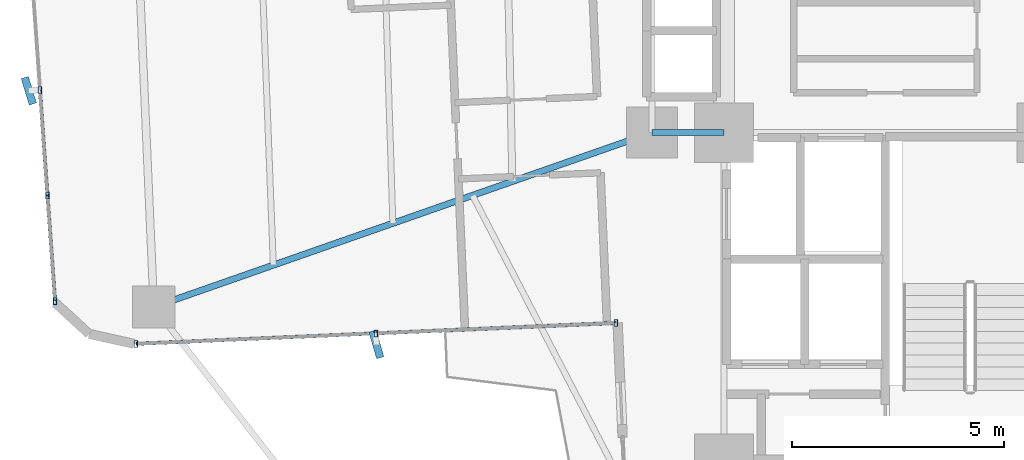
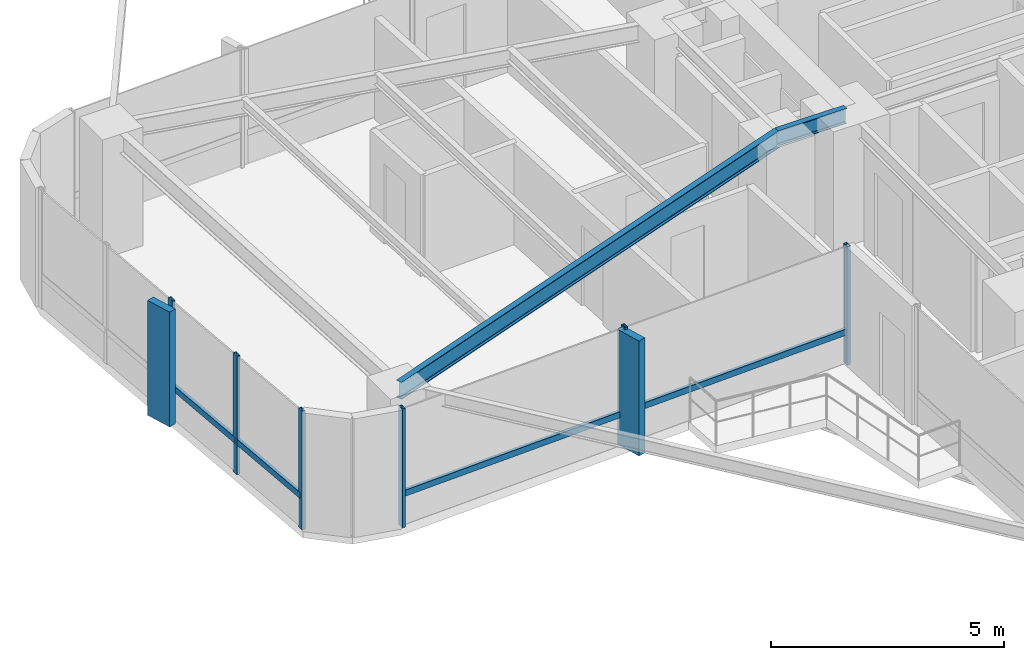
# One storey, part 8 of 26: 12 members, 2 beams, 2 elements without a shape of their own.
"""IFC4 building model written with IfcOpenShell, lengths in metres."""

from ifc_helpers import new_model, si_unit, direction, frame, origin, origin_2d, place, context, subcontext, project, spatial, rectangle, hollow_rectangle, i_section, extrude, source, transform, mapped, material, material_profile, profile_set, type_object, element, aggregate, save


model = new_model("IFC4")

# Units and contexts
model_context = context("Model", 3, precision=1e-05, world=origin(), true_north=direction((0.0, 1.0)))
body_context = subcontext(model_context, "Body", "Model", "MODEL_VIEW")
ifc_project = project(units=[si_unit("LENGTHUNIT", "METRE"), si_unit("AREAUNIT", "SQUARE_METRE"), si_unit("VOLUMEUNIT", "CUBIC_METRE"), si_unit("PLANEANGLEUNIT", "RADIAN"), si_unit("MASSUNIT", "GRAM", prefix="KILO")], contexts=[model_context])

# Site, building, storey
site_placement = place(None, origin())
site = spatial("IfcSite", under=ifc_project, at=site_placement, CompositionType="ELEMENT")
building_placement = place(site_placement, origin())
building = spatial("IfcBuilding", under=site, at=building_placement, Name="Sahyath Konkavel Grand Hotel", CompositionType="ELEMENT")
storey_placement = place(building_placement, frame((0.0, 0.0, 96.89990234375)))
storey = spatial("IfcBuildingStorey", under=building, at=storey_placement, Name="L26", CompositionType="ELEMENT", Elevation=96.89990234375)

# Beams
ifc_material_1 = material(Name="Steel E350", Category="steel")
ifc_material_profile_1 = material_profile(ifc_material_1, i_section(OverallWidth=0.139892578125, OverallDepth=0.39990234375, WebThickness=0.0087890625, FlangeThickness=0.01611328125, FilletRadius=0.013916015625, at=origin_2d()), Name="ISMB 400")
ifc_profile_set_1 = profile_set([ifc_material_profile_1], Name="Steel E350")
beam_type_1 = type_object("IfcBeamType", Name="BM-ISMB400", PredefinedType="BEAM", material=ifc_profile_set_1)
shared_shape_1 = source(origin(), body_context, "Body", "SweptSolid", [
    extrude(i_section(OverallWidth=0.139892578125, OverallDepth=0.39990234375, WebThickness=0.0087890625, FlangeThickness=0.01611328125, FilletRadius=0.013916015625, at=origin_2d()), origin(), (0.0, 0.0, 1.0), 1.699951171875),
])
beam_1_placement = place(storey_placement, frame((-5.5, -2.39990234375, 2.91015625), z_axis=(1.0, 0.0, 0.0), x_axis=(0.0, 1.0, 0.0)))
element("IfcBeam", 1, at=beam_1_placement, inside=storey, type_object=beam_type_1, Name="str:bm:L26:HB-SW", PredefinedType="BEAM", context=body_context, shape_type="MappedRepresentation", body=[
    mapped(shared_shape_1, transform((0.0, 0.0, 0.0), scale=1.0)),
])
ifc_material_profile_2 = material_profile(ifc_material_1, i_section(OverallWidth=0.14990234375, OverallDepth=0.449951171875, WebThickness=0.009521484375, FlangeThickness=0.017333984375, FilletRadius=0.014892578125, at=origin_2d()), Name="ISMB 450")
ifc_profile_set_2 = profile_set([ifc_material_profile_2], Name="Steel E350")
beam_type_2 = type_object("IfcBeamType", Name="BM-ISMB450", PredefinedType="BEAM", material=ifc_profile_set_2)
shared_shape_2 = source(origin(), body_context, "Body", "SweptSolid", [
    extrude(i_section(OverallWidth=0.14990234375, OverallDepth=0.449951171875, WebThickness=0.009521484375, FlangeThickness=0.017333984375, FilletRadius=0.014892578125, at=origin_2d()), origin(), (0.0, 0.0, 1.0), 12.430908203125),
])
beam_2_placement = place(storey_placement, frame((-5.5, -2.39990234375, 2.885009765625), z_axis=(-0.943819157235, -0.330462400941, 0.0), x_axis=(0.330462400941, -0.943819157235, 0.0)))
element("IfcBeam", 2, at=beam_2_placement, inside=storey, type_object=beam_type_2, Name="L26 Cruciform Radial Girder WB", PredefinedType="BEAM", context=body_context, shape_type="MappedRepresentation", body=[
    mapped(shared_shape_2, transform((0.0, 0.0, 0.0), scale=1.0)),
])

# Curtain wall, member
ifc_material_2 = material(Name="Anodised Bronze Aluminium & Low-E Glazing", Category="aluminium")
curtain_wall_type = type_object("IfcCurtainWallType", Name="CW-ZONE2", PredefinedType="NOTDEFINED", material=ifc_material_2)
curtain_wall_1_placement = place(storey_placement, origin())
curtain_wall_1 = element("IfcCurtainWall", 3, at=curtain_wall_1_placement, inside=storey, type_object=curtain_wall_type, Name="L26 Unitised Curtain Wall F20", PredefinedType="NOTDEFINED")
ifc_material_3 = material(Name="Warm Buff Sandstone Cladding on Concrete C50/60", Category="masonry")
ifc_material_profile_3 = material_profile(ifc_material_3, rectangle(XDim=0.179931640625, YDim=0.64990234375, at=origin_2d()), Name="FIN 180x650")
ifc_profile_set_3 = profile_set([ifc_material_profile_3], Name="Warm Buff Sandstone Cladding on Concrete C50/60")
member_type_1 = type_object("IfcMemberType", Name="FIN-SANDSTONE-650", PredefinedType="MULLION", material=ifc_profile_set_3)
shared_shape_3 = source(origin(), body_context, "Body", "SweptSolid", [
    extrude(rectangle(XDim=0.179931640625, YDim=0.64990234375, at=origin_2d()), origin(), (0.0, 0.0, 1.0), 3.010009765625),
])
member_1_placement = place(storey_placement, frame((-20.1767578125, -1.413818359375, 0.050048828125), z_axis=(0.0, 0.0, 1.0), x_axis=(0.956151539415, 0.292872384621, 0.0)))
member_1 = element("IfcMember", 4, at=member_1_placement, type_object=member_type_1, Name="L26 Sandstone Vertical Solar Fin FIN F20-2", PredefinedType="MULLION", context=body_context, shape_type="MappedRepresentation", body=[
    mapped(shared_shape_3, transform((0.0, 0.0, 0.0), scale=1.0)),
])

curtain_wall_2_placement = place(storey_placement, origin())
curtain_wall_2 = element("IfcCurtainWall", 5, at=curtain_wall_2_placement, inside=storey, type_object=curtain_wall_type, Name="L26 Unitised Curtain Wall F23", PredefinedType="NOTDEFINED")
member_2_placement = place(storey_placement, frame((-11.989013671875, -7.39013671875, 0.050048828125), z_axis=(0.0, 0.0, 1.0), x_axis=(0.960488224179, 0.278320626641, 0.0)))
member_2 = element("IfcMember", 6, at=member_2_placement, type_object=member_type_1, Name="L26 Sandstone Vertical Solar Fin FIN F23-1", PredefinedType="MULLION", context=body_context, shape_type="MappedRepresentation", body=[
    mapped(shared_shape_3, transform((0.0, 0.0, 0.0), scale=1.0)),
])

# Member
ifc_material_4 = material(Name="Anodised Bronze Aluminium", Category="aluminium")
ifc_material_profile_4 = material_profile(ifc_material_4, hollow_rectangle(XDim=0.080078125, YDim=0.159912109375, WallThickness=0.006103515625, at=origin_2d()), Name="RHS 160x80x6")
ifc_profile_set_4 = profile_set([ifc_material_profile_4], Name="Anodised Bronze Aluminium")
member_type_2 = type_object("IfcMemberType", Name="CW-MUL-160", PredefinedType="MULLION", material=ifc_profile_set_4)
shared_shape_4 = source(origin(), body_context, "Body", "SweptSolid", [
    extrude(hollow_rectangle(XDim=0.080078125, YDim=0.159912109375, WallThickness=0.006103515625, at=origin_2d()), origin(), (0.0, 0.0, 1.0), 3.110107421875),
])
member_3_placement = place(storey_placement, frame((-19.91748046875, -1.39501953125, 0.0), z_axis=(0.0, 0.0, 1.0), x_axis=(1.0, 0.0, 0.0)))
member_3 = element("IfcMember", 7, at=member_3_placement, type_object=member_type_2, Name="L26 Curtain Wall Mullion F20-2", PredefinedType="MULLION", context=body_context, shape_type="MappedRepresentation", body=[
    mapped(shared_shape_4, transform((0.0, 0.0, 0.0), scale=1.0)),
])

member_4_placement = place(storey_placement, frame((-19.739013671875, -3.882080078125, 0.0), z_axis=(0.0, 0.0, 1.0), x_axis=(1.0, 0.0, 0.0)))
member_4 = element("IfcMember", 8, at=member_4_placement, type_object=member_type_2, Name="L26 Curtain Wall Mullion F20-3", PredefinedType="MULLION", context=body_context, shape_type="MappedRepresentation", body=[
    mapped(shared_shape_4, transform((0.0, 0.0, 0.0), scale=1.0)),
])

member_5_placement = place(storey_placement, frame((-19.560546875, -6.369384765625, 0.0), z_axis=(0.0, 0.0, 1.0), x_axis=(1.0, 0.0, 0.0)))
member_5 = element("IfcMember", 9, at=member_5_placement, type_object=member_type_2, Name="L26 Curtain Wall Mullion F20-4", PredefinedType="MULLION", context=body_context, shape_type="MappedRepresentation", body=[
    mapped(shared_shape_4, transform((0.0, 0.0, 0.0), scale=1.0)),
])

member_6_placement = place(storey_placement, frame((-17.655029296875, -7.377197265625, 0.0), z_axis=(0.0, 0.0, 1.0), x_axis=(1.0, 0.0, 0.0)))
member_6 = element("IfcMember", 10, at=member_6_placement, type_object=member_type_2, Name="L26 Curtain Wall Mullion F23-0", PredefinedType="MULLION", context=body_context, shape_type="MappedRepresentation", body=[
    mapped(shared_shape_4, transform((0.0, 0.0, 0.0), scale=1.0)),
])

member_7_placement = place(storey_placement, frame((-12.00048828125, -7.13037109375, 0.0), z_axis=(0.0, 0.0, 1.0), x_axis=(1.0, 0.0, 0.0)))
member_7 = element("IfcMember", 11, at=member_7_placement, type_object=member_type_2, Name="L26 Curtain Wall Mullion F23-1", PredefinedType="MULLION", context=body_context, shape_type="MappedRepresentation", body=[
    mapped(shared_shape_4, transform((0.0, 0.0, 0.0), scale=1.0)),
])

member_8_placement = place(storey_placement, frame((-6.345703125, -6.88330078125, 0.0), z_axis=(0.0, 0.0, 1.0), x_axis=(1.0, 0.0, 0.0)))
member_8 = element("IfcMember", 12, at=member_8_placement, type_object=member_type_2, Name="L26 Curtain Wall Mullion F23-2", PredefinedType="MULLION", context=body_context, shape_type="MappedRepresentation", body=[
    mapped(shared_shape_4, transform((0.0, 0.0, 0.0), scale=1.0)),
])

ifc_material_profile_5 = material_profile(ifc_material_4, hollow_rectangle(XDim=0.080078125, YDim=0.159912109375, WallThickness=0.006103515625, at=origin_2d()), Name="RHS 160x80x6")
ifc_profile_set_5 = profile_set([ifc_material_profile_5], Name="Anodised Bronze Aluminium")
member_type_3 = type_object("IfcMemberType", Name="CW-TRN-160", PredefinedType="USERDEFINED", material=ifc_profile_set_5)
shared_shape_5 = source(origin(), body_context, "Body", "SweptSolid", [
    extrude(hollow_rectangle(XDim=0.080078125, YDim=0.159912109375, WallThickness=0.006103515625, at=origin_2d()), origin(), (0.0, 0.0, 1.0), 2.493408203125),
])
member_9_placement = place(storey_placement, frame((-19.91748046875, -1.39501953125, 0.85009765625), z_axis=(0.071574084062, -0.997435286367, 0.0), x_axis=(0.997435286367, 0.071574084062, 0.0)))
member_9 = element("IfcMember", 13, at=member_9_placement, type_object=member_type_3, Name="L26 Curtain Wall Transom F20-2-spandrel", ObjectType="TRANSOM", PredefinedType="USERDEFINED", context=body_context, shape_type="MappedRepresentation", body=[
    mapped(shared_shape_5, transform((0.0, 0.0, 0.0), scale=1.0)),
])

shared_shape_6 = source(origin(), body_context, "Body", "SweptSolid", [
    extrude(hollow_rectangle(XDim=0.080078125, YDim=0.159912109375, WallThickness=0.006103515625, at=origin_2d()), origin(), (0.0, 0.0, 1.0), 2.49365234375),
])
member_10_placement = place(storey_placement, frame((-19.739013671875, -3.882080078125, 0.85009765625), z_axis=(0.071567094714, -0.997435787885, 0.0), x_axis=(0.997435787885, 0.071567094714, 0.0)))
member_10 = element("IfcMember", 14, at=member_10_placement, type_object=member_type_3, Name="L26 Curtain Wall Transom F20-3-spandrel", ObjectType="TRANSOM", PredefinedType="USERDEFINED", context=body_context, shape_type="MappedRepresentation", body=[
    mapped(shared_shape_6, transform((0.0, 0.0, 0.0), scale=1.0)),
])

aggregate(curtain_wall_1, [member_3, member_1, member_4, member_5, member_9, member_10])

shared_shape_7 = source(origin(), body_context, "Body", "SweptSolid", [
    extrude(hollow_rectangle(XDim=0.080078125, YDim=0.159912109375, WallThickness=0.006103515625, at=origin_2d()), origin(), (0.0, 0.0, 1.0), 5.659912109375),
])
member_11_placement = place(storey_placement, frame((-17.655029296875, -7.377197265625, 0.85009765625), z_axis=(0.999048655935, 0.043609437898, 0.0), x_axis=(-0.043609437898, 0.999048655935, 0.0)))
member_11 = element("IfcMember", 15, at=member_11_placement, type_object=member_type_3, Name="L26 Curtain Wall Transom F23-0-spandrel", ObjectType="TRANSOM", PredefinedType="USERDEFINED", context=body_context, shape_type="MappedRepresentation", body=[
    mapped(shared_shape_7, transform((0.0, 0.0, 0.0), scale=1.0)),
])

shared_shape_8 = source(origin(), body_context, "Body", "SweptSolid", [
    extrude(hollow_rectangle(XDim=0.080078125, YDim=0.159912109375, WallThickness=0.006103515625, at=origin_2d()), origin(), (0.0, 0.0, 1.0), 5.66015625),
])
member_12_placement = place(storey_placement, frame((-12.00048828125, -7.13037109375, 0.85009765625), z_axis=(0.9990468579, 0.043650609628, 0.0), x_axis=(-0.043650609628, 0.9990468579, 0.0)))
member_12 = element("IfcMember", 16, at=member_12_placement, type_object=member_type_3, Name="L26 Curtain Wall Transom F23-1-spandrel", ObjectType="TRANSOM", PredefinedType="USERDEFINED", context=body_context, shape_type="MappedRepresentation", body=[
    mapped(shared_shape_8, transform((0.0, 0.0, 0.0), scale=1.0)),
])

aggregate(curtain_wall_2, [member_6, member_7, member_2, member_8, member_11, member_12])

save(model, "model.ifc")
